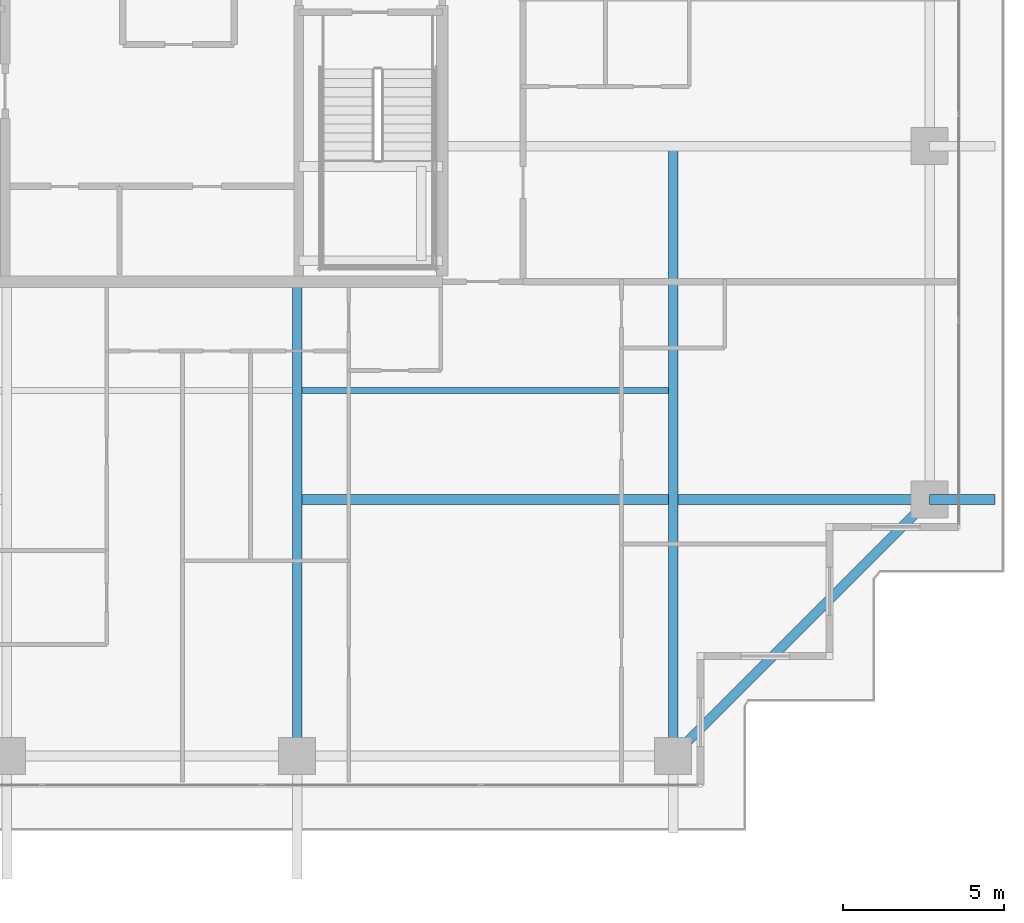
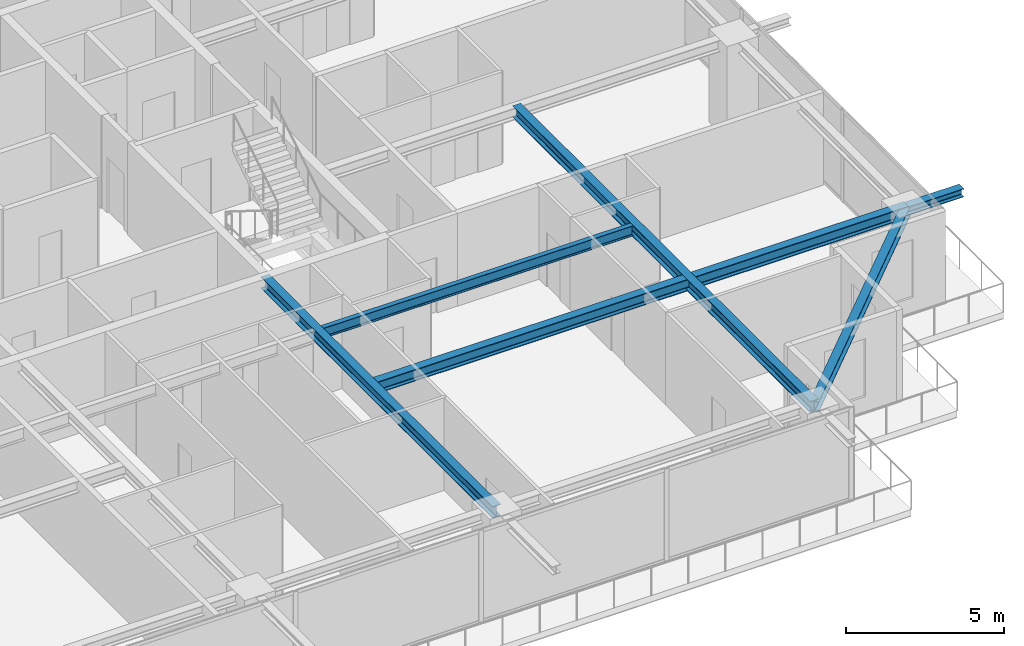
# One storey, part 13 of 39: 6 beams.
"""IFC4 building model written with IfcOpenShell, lengths in metres."""

from ifc_helpers import new_model, si_unit, direction, frame, origin, origin_2d, place, context, subcontext, project, spatial, i_section, extrude, source, transform, mapped, material, material_profile, profile_set, type_object, element, save


model = new_model("IFC4")

# Units and contexts
model_context = context("Model", 3, precision=1e-05, world=origin(), true_north=direction((0.0, 1.0)))
body_context = subcontext(model_context, "Body", "Model", "MODEL_VIEW")
ifc_project = project(units=[si_unit("LENGTHUNIT", "METRE"), si_unit("AREAUNIT", "SQUARE_METRE"), si_unit("VOLUMEUNIT", "CUBIC_METRE"), si_unit("PLANEANGLEUNIT", "RADIAN"), si_unit("MASSUNIT", "GRAM", prefix="KILO")], contexts=[model_context])

# Site, building, storey
site_placement = place(None, origin())
site = spatial("IfcSite", under=ifc_project, at=site_placement, CompositionType="ELEMENT")
building_placement = place(site_placement, origin())
building = spatial("IfcBuilding", under=site, at=building_placement, Name="Serunith Strait Residences", CompositionType="ELEMENT")
storey_placement = place(building_placement, frame((0.0, 0.0, 222.0)))
storey = spatial("IfcBuildingStorey", under=building, at=storey_placement, Name="L55", CompositionType="ELEMENT", Elevation=222.0)

# Beams
ifc_material = material(Name="Steel S355J2", Category="steel")
ifc_material_profile_1 = material_profile(ifc_material, i_section(OverallWidth=0.300048828125, OverallDepth=0.449951171875, WebThickness=0.013916015625, FlangeThickness=0.02587890625, FilletRadius=0.027099609375, at=origin_2d()), Name="HEB 450")
ifc_profile_set_1 = profile_set([ifc_material_profile_1], Name="Steel S355J2")
beam_type_1 = type_object("IfcBeamType", Name="BM-HEB450", PredefinedType="BEAM", material=ifc_profile_set_1)
shared_shape_1 = source(origin(), body_context, "Body", "SweptSolid", [
    extrude(i_section(OverallWidth=0.300048828125, OverallDepth=0.449951171875, WebThickness=0.013916015625, FlangeThickness=0.02587890625, FilletRadius=0.027099609375, at=origin_2d()), origin(), (0.0, 0.0, 1.0), 14.699951171875),
])
beam_1_placement = place(storey_placement, frame((36.89990234375, 16.800048828125, 3.362060546875), z_axis=(0.0, -1.0, 0.0), x_axis=(1.0, 0.0, 0.0)))
element("IfcBeam", 1, at=beam_1_placement, inside=storey, type_object=beam_type_1, Name="L55 Primary Floor Girder TC-S3", PredefinedType="BEAM", context=body_context, shape_type="MappedRepresentation", body=[
    mapped(shared_shape_1, transform((0.0, 0.0, 0.0), scale=1.0)),
])
shared_shape_2 = source(origin(), body_context, "Body", "SweptSolid", [
    extrude(i_section(OverallWidth=0.300048828125, OverallDepth=0.449951171875, WebThickness=0.013916015625, FlangeThickness=0.02587890625, FilletRadius=0.027099609375, at=origin_2d()), origin(), (0.0, 0.0, 1.0), 18.89990234375),
])
beam_2_placement = place(storey_placement, frame((48.550048828125, 21.0, 3.362060546875), z_axis=(0.0, -1.0, 0.0), x_axis=(1.0, 0.0, 0.0)))
element("IfcBeam", 2, at=beam_2_placement, inside=storey, type_object=beam_type_1, Name="L55 Orthogonal Corner Girder TC-S4", PredefinedType="BEAM", context=body_context, shape_type="MappedRepresentation", body=[
    mapped(shared_shape_2, transform((0.0, 0.0, 0.0), scale=1.0)),
])
shared_shape_3 = source(origin(), body_context, "Body", "SweptSolid", [
    extrude(i_section(OverallWidth=0.300048828125, OverallDepth=0.449951171875, WebThickness=0.013916015625, FlangeThickness=0.02587890625, FilletRadius=0.027099609375, at=origin_2d()), origin(), (0.0, 0.0, 1.0), 19.60009765625),
])
beam_3_placement = place(storey_placement, frame((36.89990234375, 10.050048828125, 3.362060546875), z_axis=(1.0, 0.0, 0.0), x_axis=(0.0, 1.0, 0.0)))
element("IfcBeam", 3, at=beam_3_placement, inside=storey, type_object=beam_type_1, Name="L55 Orthogonal Corner Girder TC-E1", PredefinedType="BEAM", context=body_context, shape_type="MappedRepresentation", body=[
    mapped(shared_shape_3, transform((0.0, 0.0, 0.0), scale=1.0)),
])
ifc_material_profile_2 = material_profile(ifc_material, i_section(OverallWidth=0.300048828125, OverallDepth=0.39990234375, WebThickness=0.013427734375, FlangeThickness=0.02392578125, FilletRadius=0.027099609375, at=origin_2d()), Name="HEB 400")
ifc_profile_set_2 = profile_set([ifc_material_profile_2], Name="Steel S355J2")
beam_type_2 = type_object("IfcBeamType", Name="BM-HEB400", PredefinedType="BEAM", material=ifc_profile_set_2)
shared_shape_4 = source(origin(), body_context, "Body", "SweptSolid", [
    extrude(i_section(OverallWidth=0.300048828125, OverallDepth=0.39990234375, WebThickness=0.013427734375, FlangeThickness=0.02392578125, FilletRadius=0.027099609375, at=origin_2d()), origin(), (0.0, 0.0, 1.0), 11.242919921875),
])
beam_4_placement = place(storey_placement, frame((48.550048828125, 2.10009765625, 3.35693359375), z_axis=(0.707106781187, 0.707106781187, 0.0), x_axis=(-0.707106781187, 0.707106781187, 0.0)))
element("IfcBeam", 4, at=beam_4_placement, inside=storey, type_object=beam_type_2, Name="L55 Perimeter Ring Beam 04", PredefinedType="BEAM", context=body_context, shape_type="MappedRepresentation", body=[
    mapped(shared_shape_4, transform((0.0, 0.0, 0.0), scale=1.0)),
])
ifc_material_profile_3 = material_profile(ifc_material, i_section(OverallWidth=0.179931640625, OverallDepth=0.39990234375, WebThickness=0.008544921875, FlangeThickness=0.013427734375, FilletRadius=0.02099609375, at=origin_2d()), Name="IPE 400")
ifc_profile_set_3 = profile_set([ifc_material_profile_3], Name="Steel S355J2")
beam_type_3 = type_object("IfcBeamType", Name="BM-IPE400", PredefinedType="JOIST", material=ifc_profile_set_3)
shared_shape_5 = source(origin(), body_context, "Body", "SweptSolid", [
    extrude(i_section(OverallWidth=0.179931640625, OverallDepth=0.39990234375, WebThickness=0.008544921875, FlangeThickness=0.013427734375, FilletRadius=0.02099609375, at=origin_2d()), origin(), (0.0, 0.0, 1.0), 11.349853515625),
])
beam_5_placement = place(storey_placement, frame((37.050048828125, 13.425048828125, 3.386962890625), z_axis=(1.0, 0.0, 0.0), x_axis=(0.0, 1.0, 0.0)))
element("IfcBeam", 5, at=beam_5_placement, inside=storey, type_object=beam_type_3, Name="L55 Composite Floor Joist 03", PredefinedType="JOIST", context=body_context, shape_type="MappedRepresentation", body=[
    mapped(shared_shape_5, transform((0.0, 0.0, 0.0), scale=1.0)),
])
ifc_material_profile_4 = material_profile(ifc_material, i_section(OverallWidth=0.300048828125, OverallDepth=0.320068359375, WebThickness=0.011474609375, FlangeThickness=0.0205078125, FilletRadius=0.027099609375, at=origin_2d()), Name="HEB 320")
ifc_profile_set_4 = profile_set([ifc_material_profile_4], Name="Steel S355J2")
beam_type_4 = type_object("IfcBeamType", Name="BM-HEB320", PredefinedType="BEAM", material=ifc_profile_set_4)
shared_shape_6 = source(origin(), body_context, "Body", "SweptSolid", [
    extrude(i_section(OverallWidth=0.300048828125, OverallDepth=0.320068359375, WebThickness=0.011474609375, FlangeThickness=0.0205078125, FilletRadius=0.027099609375, at=origin_2d()), origin(), (0.0, 0.0, 1.0), 2.030029296875),
])
beam_6_placement = place(storey_placement, frame((56.5, 10.050048828125, 3.39697265625), z_axis=(1.0, 0.0, 0.0), x_axis=(0.0, 1.0, 0.0)))
element("IfcBeam", 6, at=beam_6_placement, inside=storey, type_object=beam_type_4, Name="L56 Cantilevered Balcony Rib TC-E1", PredefinedType="BEAM", context=body_context, shape_type="MappedRepresentation", body=[
    mapped(shared_shape_6, transform((0.0, 0.0, 0.0), scale=1.0)),
])

save(model, "model.ifc")
